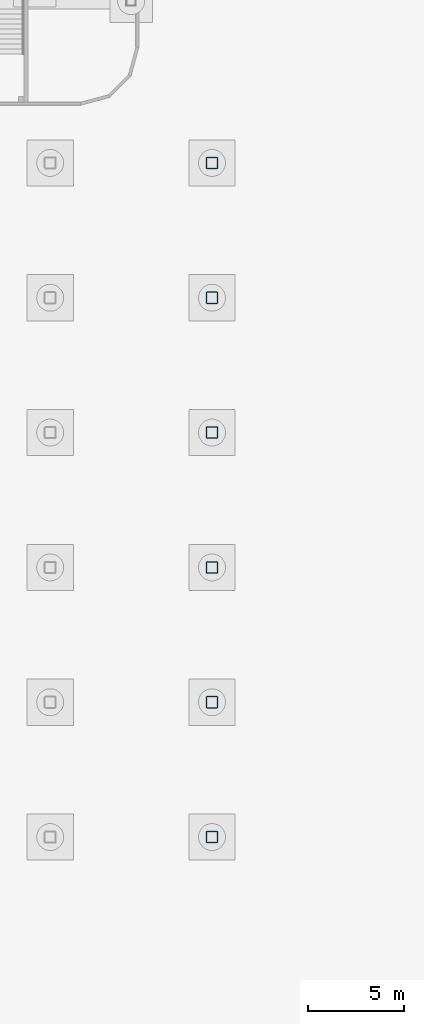
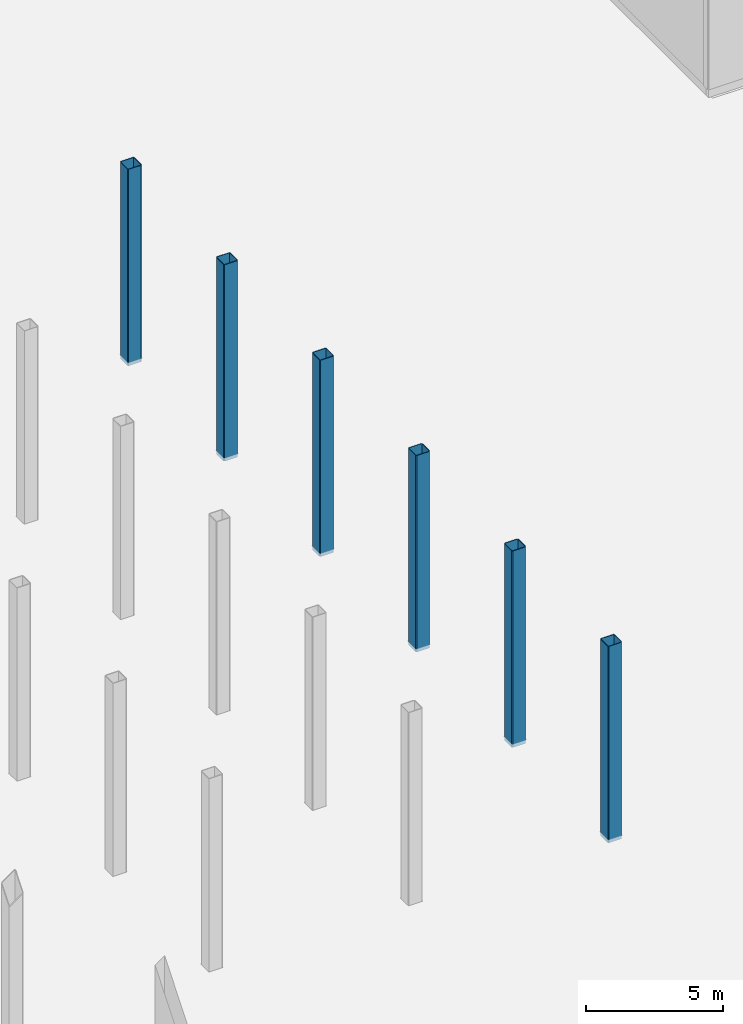
# One storey, part 15 of 113: 6 columns.
"""IFC4 building model written with IfcOpenShell, lengths in metres."""

from ifc_helpers import new_model, si_unit, direction, frame, origin, origin_2d, place, context, subcontext, project, spatial, hollow_rectangle, extrude, material, material_profile, profile_set, type_object, element, save


model = new_model("IFC4")

# Units and contexts
model_context = context("Model", 3, precision=1e-05, world=origin(), true_north=direction((0.0, 1.0)))
body_context = subcontext(model_context, "Body", "Model", "MODEL_VIEW")
ifc_project = project(units=[si_unit("LENGTHUNIT", "METRE"), si_unit("AREAUNIT", "SQUARE_METRE"), si_unit("VOLUMEUNIT", "CUBIC_METRE"), si_unit("PLANEANGLEUNIT", "RADIAN"), si_unit("MASSUNIT", "GRAM", prefix="KILO")], contexts=[model_context])

# Site, building, storey
site_placement = place(None, origin())
site = spatial("IfcSite", under=ifc_project, at=site_placement, CompositionType="ELEMENT")
building_placement = place(site_placement, origin())
building = spatial("IfcBuilding", under=site, at=building_placement, Name="Hakoniwa Tower and Hamabe Station Hall", CompositionType="ELEMENT")
storey_placement = place(building_placement, origin())
storey = spatial("IfcBuildingStorey", under=building, at=storey_placement, Name="L01", CompositionType="ELEMENT", Elevation=0.0)

# Columns
ifc_material = material(Name="Steel BCP325", Category="steel")
ifc_material_profile = material_profile(ifc_material, hollow_rectangle(XDim=0.60009765625, YDim=0.60009765625, WallThickness=0.02490234375, OuterFilletRadius=0.0625, at=origin_2d()), Name="DECK COLUMN BCP-600x600x25")
ifc_profile_set = profile_set([ifc_material_profile], Name="Steel BCP325")
column_type = type_object("IfcColumnType", Name="DECK COLUMN BCP-600x600x25", PredefinedType="COLUMN", material=ifc_profile_set)
for number, where, z_axis, x_axis, name in (
    (1, (58.800048828125, -63.0, -0.14990234375), (0.0, 0.0, 1.0), (1.0, 0.0, 0.0), "Deck column 61"),
    (2, (58.800048828125, -56.0, -0.14990234375), (0.0, 0.0, 1.0), (1.0, 0.0, 0.0), "Deck column 62"),
    (3, (58.800048828125, -49.0, -0.14990234375), (0.0, 0.0, 1.0), (1.0, 0.0, 0.0), "Deck column 63"),
    (4, (58.800048828125, -42.0, -0.14990234375), (0.0, 0.0, 1.0), (1.0, 0.0, 0.0), "Deck column 64"),
    (5, (58.800048828125, -35.0, -0.14990234375), (0.0, 0.0, 1.0), (1.0, 0.0, 0.0), "Deck column 65"),
    (6, (58.800048828125, -28.0, -0.14990234375), (0.0, 0.0, 1.0), (1.0, 0.0, 0.0), "Deck column 66"),
):
    element("IfcColumn", number, at=place(storey_placement, frame(where, z_axis=z_axis, x_axis=x_axis)), inside=storey, type_object=column_type, Name=name, PredefinedType="COLUMN", context=body_context, shape_type="SweptSolid", body=[
        extrude(hollow_rectangle(XDim=0.60009765625, YDim=0.60009765625, WallThickness=0.02490234375, OuterFilletRadius=0.0625, at=origin_2d()), origin(), (0.0, 0.0, 1.0), 8.739990234375),
    ])

save(model, "model.ifc")
